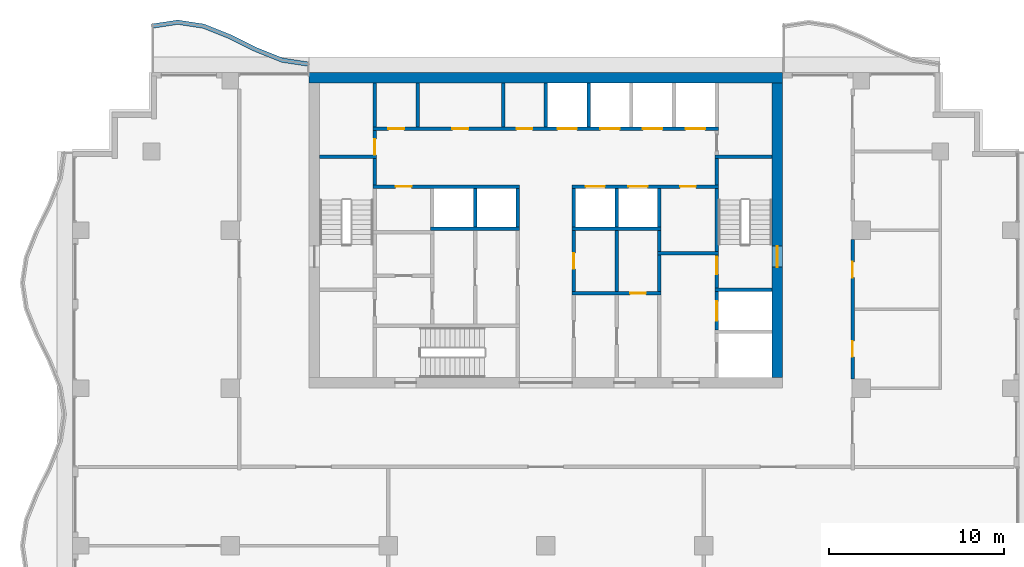
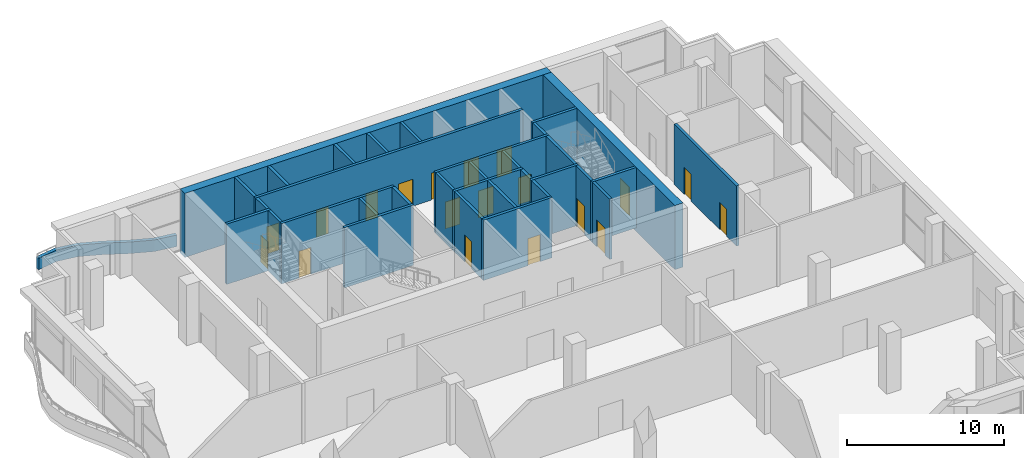
# One storey, part 9 of 15: 34 walls, 19 doors, 19 openings.
"""IFC4 building model written with IfcOpenShell, lengths in metres."""

from ifc_helpers import new_model, si_unit, direction, frame, frame_2d, origin, place, context, subcontext, project, spatial, polyline, rectangle, outline, extrude, material, layer, layer_set, type_object, element, fill, save


model = new_model("IFC4")

# Units and contexts
model_context = context("Model", 3, precision=1e-05, world=origin(), true_north=direction((0.0, 1.0)))
body_context = subcontext(model_context, "Body", "Model", "MODEL_VIEW")
ifc_project = project(units=[si_unit("LENGTHUNIT", "METRE"), si_unit("AREAUNIT", "SQUARE_METRE"), si_unit("VOLUMEUNIT", "CUBIC_METRE"), si_unit("PLANEANGLEUNIT", "RADIAN"), si_unit("MASSUNIT", "GRAM", prefix="KILO")], contexts=[model_context])

# Site, building, storey
site_placement = place(None, origin())
site = spatial("IfcSite", under=ifc_project, at=site_placement, CompositionType="ELEMENT")
building_placement = place(site_placement, origin())
building = spatial("IfcBuilding", under=site, at=building_placement, Name="Orbiselva Terraces", CompositionType="ELEMENT")
storey_placement = place(building_placement, frame((0.0, 0.0, 233.8)))
storey = spatial("IfcBuildingStorey", under=building, at=storey_placement, Name="L59", CompositionType="ELEMENT", Elevation=233.8)

# Wall, opening, door
ifc_material_1 = material(Name="Concrete C80/95", Category="concrete")
ifc_layer_1 = layer(ifc_material_1, 0.6)
ifc_layer_set_1 = layer_set([ifc_layer_1], Name="Concrete C80/95")
wall_type_1 = type_object("IfcWallType", Name="CORE WALL 600", PredefinedType="SHEAR", material=ifc_layer_set_1)
wall_1_placement = place(storey_placement, frame((13.2, 5.1, -0.3), z_axis=(0.0, 0.0, 1.0), x_axis=(0.0, 1.0, 0.0)))
wall_1 = element("IfcWall", 1, at=wall_1_placement, inside=storey, type_object=wall_type_1, Name="Core wall L59 east", PredefinedType="SHEAR", context=body_context, shape_type="SweptSolid", body=[
    extrude(rectangle(XDim=16.8, YDim=0.6, at=frame_2d((8.4, 0.0))), origin(), (0.0, 0.0, 1.0), 5.0),
])
opening_1_placement = place(wall_1_placement, frame((6.3, 0.0, 0.3)))
opening_1 = element("IfcOpeningElement", 2, at=opening_1_placement, cuts=wall_1, Name="Opening DS1200", PredefinedType="OPENING", context=body_context, shape_type="SweptSolid", body=[
    extrude(rectangle(XDim=1.2, YDim=2.2, at=frame_2d((0.6, 1.1))), frame((0.0, 0.31, 0.0), z_axis=(0.0, -1.0, 0.0), x_axis=(1.0, 0.0, 0.0)), (0.0, 0.0, 1.0), 0.62),
])
ifc_material_2 = material(Name="Steel fire door", Category="steel")
door_type_1 = type_object("IfcDoorType", Name="STAIR DOOR 1200", OperationType="NOTDEFINED", PredefinedType="DOOR", material=ifc_material_2)
door_1_placement = place(opening_1_placement, frame((1.2, 0.0, 0.0), z_axis=(0.0, 0.0, 1.0), x_axis=(-1.0, 0.0, 0.0)))
door_1 = element("IfcDoor", 3, at=door_1_placement, inside=storey, type_object=door_type_1, Name="L59 EXIT STAIR S2 door", OperationType="SINGLE_SWING_LEFT", OverallHeight=2.2, OverallWidth=1.2, PredefinedType="DOOR", context=body_context, shape_type="SweptSolid", body=[
    extrude(rectangle(XDim=1.2, YDim=2.2, at=frame_2d((0.6, 1.1))), frame((0.0, 0.025, 0.0), z_axis=(0.0, -1.0, 0.0), x_axis=(1.0, 0.0, 0.0)), (0.0, 0.0, 1.0), 0.05),
])
fill(opening_1, door_1)

# Wall
ifc_layer_2 = layer(ifc_material_1, 0.6)
ifc_layer_set_2 = layer_set([ifc_layer_2], Name="Concrete C80/95")
wall_type_2 = type_object("IfcWallType", Name="CORE WALL 600 EXTERNAL", PredefinedType="SHEAR", material=ifc_layer_set_2)
wall_2_placement = place(storey_placement, frame((13.5, 22.2, -0.3), z_axis=(0.0, 0.0, 1.0), x_axis=(-1.0, 0.0, 0.0)))
element("IfcWall", 4, at=wall_2_placement, inside=storey, type_object=wall_type_2, Name="Core wall L59 north", PredefinedType="SHEAR", context=body_context, shape_type="SweptSolid", body=[
    extrude(rectangle(XDim=27.0, YDim=0.6, at=frame_2d((13.5, 0.0))), origin(), (0.0, 0.0, 1.0), 5.0),
])

# Wall, opening, door
ifc_material_3 = material(Name="Masonry blockwork", Category="masonry")
ifc_layer_3 = layer(ifc_material_3, 0.2)
ifc_layer_set_3 = layer_set([ifc_layer_3], Name="Masonry blockwork")
wall_type_3 = type_object("IfcWallType", Name="CORE-WALL-PARTITION-200", PredefinedType="PARTITIONING", material=ifc_layer_set_3)
wall_3_placement = place(storey_placement, frame((-9.75, 17.8, 0.0), z_axis=(0.0, 0.0, 1.0), x_axis=(0.0, 1.0, 0.0)))
wall_3 = element("IfcWall", 5, at=wall_3_placement, inside=storey, type_object=wall_type_3, Name="L59 core wall 13", PredefinedType="PARTITIONING", context=body_context, shape_type="SweptSolid", body=[
    extrude(rectangle(XDim=1.4, YDim=0.2, at=frame_2d((0.7, 0.0))), origin(), (0.0, 0.0, 1.0), 4.7),
])
opening_2_placement = place(wall_3_placement, origin())
opening_2 = element("IfcOpeningElement", 6, at=opening_2_placement, cuts=wall_3, Name="Opening DR900", PredefinedType="OPENING", context=body_context, shape_type="SweptSolid", body=[
    extrude(rectangle(XDim=0.9, YDim=2.1, at=frame_2d((0.45, 1.05))), frame((0.0, 0.11, 0.0), z_axis=(0.0, -1.0, 0.0), x_axis=(1.0, 0.0, 0.0)), (0.0, 0.0, 1.0), 0.22),
])
door_type_2 = type_object("IfcDoorType", Name="ROOM DOOR 900", OperationType="NOTDEFINED", PredefinedType="DOOR", material=ifc_material_2)
door_2_placement = place(opening_2_placement, origin())
door_2 = element("IfcDoor", 7, at=door_2_placement, inside=storey, type_object=door_type_2, Name="L59 COMMS RISER ROOM door", OperationType="SINGLE_SWING_LEFT", OverallHeight=2.1, OverallWidth=0.9, PredefinedType="DOOR", context=body_context, shape_type="SweptSolid", body=[
    extrude(rectangle(XDim=0.9, YDim=2.1, at=frame_2d((0.45, 1.05))), frame((0.0, 0.025, 0.0), z_axis=(0.0, -1.0, 0.0), x_axis=(1.0, 0.0, 0.0)), (0.0, 0.0, 1.0), 0.05),
])
fill(opening_2, door_2)

# Walls
for number, where, z_axis, x_axis, name in (
    (8, (-9.75, 19.4, 0.0), (0.0, 0.0, 1.0), (0.0, 1.0, 0.0), "L59 core wall 15"),
    (9, (-7.3125, 19.4, 0.0), (0.0, 0.0, 1.0), (0.0, 1.0, 0.0), "L59 core wall 16"),
    (10, (-2.4375, 19.4, 0.0), (0.0, 0.0, 1.0), (0.0, 1.0, 0.0), "L59 core wall 23"),
):
    element("IfcWall", number, at=place(storey_placement, frame(where, z_axis=z_axis, x_axis=x_axis)), inside=storey, type_object=wall_type_3, Name=name, PredefinedType="PARTITIONING", context=body_context, shape_type="SweptSolid", body=[
        extrude(rectangle(XDim=2.5, YDim=0.2, at=frame_2d((1.25, 0.0))), origin(), (0.0, 0.0, 1.0), 4.7),
    ])
wall_4_placement = place(storey_placement, frame((4.0375, 10.0, 0.0), z_axis=(0.0, 0.0, 1.0), x_axis=(0.0, 1.0, 0.0)))
element("IfcWall", 11, at=wall_4_placement, inside=storey, type_object=wall_type_3, Name="L59 core wall 36", PredefinedType="PARTITIONING", context=body_context, shape_type="SweptSolid", body=[
    extrude(rectangle(XDim=3.5, YDim=0.2, at=frame_2d((1.75, 0.0))), origin(), (0.0, 0.0, 1.0), 4.7),
])
wall_5_placement = place(storey_placement, frame((6.475, 12.3, 0.0), z_axis=(0.0, 0.0, 1.0), x_axis=(0.0, 1.0, 0.0)))
element("IfcWall", 12, at=wall_5_placement, inside=storey, type_object=wall_type_3, Name="L59 core wall 42", PredefinedType="PARTITIONING", context=body_context, shape_type="SweptSolid", body=[
    extrude(rectangle(XDim=1.2, YDim=0.2, at=frame_2d((0.6, 0.0))), origin(), (0.0, 0.0, 1.0), 4.7),
])
ifc_material_4 = material(Name="Concrete C40/50", Category="concrete")
ifc_layer_4 = layer(ifc_material_4, 0.2)
ifc_layer_set_4 = layer_set([ifc_layer_4], Name="Concrete C40/50")
wall_type_4 = type_object("IfcWallType", Name="CORE-WALL-SHAFT-200", PredefinedType="PARTITIONING", material=ifc_layer_set_4)
for number, where, z_axis, x_axis, name in (
    (13, (-4.0375, 13.7, 0.0), (0.0, 0.0, 1.0), (0.0, 1.0, 0.0), "L59 core wall 22"),
    (14, (-1.6, 13.7, 0.0), (0.0, 0.0, 1.0), (0.0, 1.0, 0.0), "L59 core wall 26"),
):
    element("IfcWall", number, at=place(storey_placement, frame(where, z_axis=z_axis, x_axis=x_axis)), inside=storey, type_object=wall_type_4, Name=name, PredefinedType="PARTITIONING", context=body_context, shape_type="SweptSolid", body=[
        extrude(rectangle(XDim=2.2, YDim=0.2, at=frame_2d((1.1, 0.0))), origin(), (0.0, 0.0, 1.0), 4.7),
    ])
wall_6_placement = place(storey_placement, frame((0.0, 19.4, 0.0), z_axis=(0.0, 0.0, 1.0), x_axis=(0.0, 1.0, 0.0)))
element("IfcWall", 15, at=wall_6_placement, inside=storey, type_object=wall_type_4, Name="L59 core wall 27", PredefinedType="PARTITIONING", context=body_context, shape_type="SweptSolid", body=[
    extrude(rectangle(XDim=2.5, YDim=0.2, at=frame_2d((1.25, 0.0))), origin(), (0.0, 0.0, 1.0), 4.7),
])
wall_7_placement = place(storey_placement, frame((1.6, 13.7, 0.0), z_axis=(0.0, 0.0, 1.0), x_axis=(0.0, 1.0, 0.0)))
element("IfcWall", 16, at=wall_7_placement, inside=storey, type_object=wall_type_4, Name="L59 core wall 32", PredefinedType="PARTITIONING", context=body_context, shape_type="SweptSolid", body=[
    extrude(rectangle(XDim=2.2, YDim=0.2, at=frame_2d((1.1, 0.0))), origin(), (0.0, 0.0, 1.0), 4.7),
])
wall_8_placement = place(storey_placement, frame((2.4375, 19.4, 0.0), z_axis=(0.0, 0.0, 1.0), x_axis=(0.0, 1.0, 0.0)))
element("IfcWall", 17, at=wall_8_placement, inside=storey, type_object=wall_type_4, Name="L59 core wall 34", PredefinedType="PARTITIONING", context=body_context, shape_type="SweptSolid", body=[
    extrude(rectangle(XDim=2.5, YDim=0.2, at=frame_2d((1.25, 0.0))), origin(), (0.0, 0.0, 1.0), 4.7),
])
for number, where, z_axis, x_axis, name in (
    (18, (4.0375, 13.7, 0.0), (0.0, 0.0, 1.0), (0.0, 1.0, 0.0), "L59 core wall 37"),
    (19, (6.475, 13.7, 0.0), (0.0, 0.0, 1.0), (0.0, 1.0, 0.0), "L59 core wall 43"),
):
    element("IfcWall", number, at=place(storey_placement, frame(where, z_axis=z_axis, x_axis=x_axis)), inside=storey, type_object=wall_type_4, Name=name, PredefinedType="PARTITIONING", context=body_context, shape_type="SweptSolid", body=[
        extrude(rectangle(XDim=2.2, YDim=0.2, at=frame_2d((1.1, 0.0))), origin(), (0.0, 0.0, 1.0), 4.7),
    ])
ifc_material_5 = material(Name="Concrete C60/75", Category="concrete")
ifc_layer_5 = layer(ifc_material_5, 0.2)
ifc_layer_set_5 = layer_set([ifc_layer_5], Name="Concrete C60/75")
wall_type_5 = type_object("IfcWallType", Name="CORE-WALL-SHEAR-200", PredefinedType="SHEAR", material=ifc_layer_set_5)
wall_9_placement = place(storey_placement, frame((-12.9, 17.7, 0.0), z_axis=(0.0, 0.0, 1.0), x_axis=(1.0, 0.0, 0.0)))
element("IfcWall", 20, at=wall_9_placement, inside=storey, type_object=wall_type_5, Name="L59 core wall 02", PredefinedType="SHEAR", context=body_context, shape_type="SweptSolid", body=[
    extrude(rectangle(XDim=3.25, YDim=0.2, at=frame_2d((1.625, 0.0))), origin(), (0.0, 0.0, 1.0), 4.7),
])

# Wall, opening, door
wall_10_placement = place(storey_placement, frame((-1.5, 16.0, 0.0), z_axis=(0.0, 0.0, 1.0), x_axis=(-1.0, 0.0, 0.0)))
wall_10 = element("IfcWall", 21, at=wall_10_placement, inside=storey, type_object=wall_type_5, Name="L59 core wall 11", PredefinedType="SHEAR", context=body_context, shape_type="SweptSolid", body=[
    extrude(rectangle(XDim=8.35, YDim=0.2, at=frame_2d((4.175, 0.0))), origin(), (0.0, 0.0, 1.0), 4.7),
])
opening_3_placement = place(wall_10_placement, frame((6.1625, 0.0, 0.0)))
opening_3 = element("IfcOpeningElement", 22, at=opening_3_placement, cuts=wall_10, Name="Opening DR900", PredefinedType="OPENING", context=body_context, shape_type="SweptSolid", body=[
    extrude(rectangle(XDim=0.9, YDim=2.1, at=frame_2d((0.45, 1.05))), frame((0.0, 0.11, 0.0), z_axis=(0.0, -1.0, 0.0), x_axis=(1.0, 0.0, 0.0)), (0.0, 0.0, 1.0), 0.22),
])
door_3_placement = place(opening_3_placement, origin())
door_3 = element("IfcDoor", 23, at=door_3_placement, inside=storey, type_object=door_type_2, Name="L59 STAFF PANTRY door", OperationType="SINGLE_SWING_RIGHT", OverallHeight=2.1, OverallWidth=0.9, PredefinedType="DOOR", context=body_context, shape_type="SweptSolid", body=[
    extrude(rectangle(XDim=0.9, YDim=2.1, at=frame_2d((0.45, 1.05))), frame((0.0, 0.025, 0.0), z_axis=(0.0, -1.0, 0.0), x_axis=(1.0, 0.0, 0.0)), (0.0, 0.0, 1.0), 0.05),
])
fill(opening_3, door_3)

# Wall
wall_11_placement = place(storey_placement, frame((-9.75, 16.1, 0.0), z_axis=(0.0, 0.0, 1.0), x_axis=(0.0, 1.0, 0.0)))
element("IfcWall", 24, at=wall_11_placement, inside=storey, type_object=wall_type_5, Name="L59 core wall 12", PredefinedType="SHEAR", context=body_context, shape_type="SweptSolid", body=[
    extrude(rectangle(XDim=1.5, YDim=0.2, at=frame_2d((0.75, 0.0))), origin(), (0.0, 0.0, 1.0), 4.7),
])

# Wall, openings, doors
wall_12_placement = place(storey_placement, frame((-9.85, 19.3, 0.0), z_axis=(0.0, 0.0, 1.0), x_axis=(1.0, 0.0, 0.0)))
wall_12 = element("IfcWall", 25, at=wall_12_placement, inside=storey, type_object=wall_type_5, Name="L59 core wall 14", PredefinedType="SHEAR", context=body_context, shape_type="SweptSolid", body=[
    extrude(rectangle(XDim=19.7, YDim=0.2, at=frame_2d((9.85, 0.0))), origin(), (0.0, 0.0, 1.0), 4.7),
])
opening_4_placement = place(wall_12_placement, frame((10.51875, 0.0, 0.0)))
opening_4 = element("IfcOpeningElement", 26, at=opening_4_placement, cuts=wall_12, Name="Opening LD-HR1", PredefinedType="OPENING", context=body_context, shape_type="SweptSolid", body=[
    extrude(rectangle(XDim=1.1, YDim=2.1, at=frame_2d((0.55, 1.05))), frame((0.0, 0.11, 0.0), z_axis=(0.0, -1.0, 0.0), x_axis=(1.0, 0.0, 0.0)), (0.0, 0.0, 1.0), 0.22),
])
opening_5_placement = place(wall_12_placement, frame((12.95625, 0.0, 0.0)))
opening_5 = element("IfcOpeningElement", 27, at=opening_5_placement, cuts=wall_12, Name="Opening LD-HR2", PredefinedType="OPENING", context=body_context, shape_type="SweptSolid", body=[
    extrude(rectangle(XDim=1.1, YDim=2.1, at=frame_2d((0.55, 1.05))), frame((0.0, 0.11, 0.0), z_axis=(0.0, -1.0, 0.0), x_axis=(1.0, 0.0, 0.0)), (0.0, 0.0, 1.0), 0.22),
])
opening_6_placement = place(wall_12_placement, frame((15.39375, 0.0, 0.0)))
opening_6 = element("IfcOpeningElement", 28, at=opening_6_placement, cuts=wall_12, Name="Opening LD-HR3", PredefinedType="OPENING", context=body_context, shape_type="SweptSolid", body=[
    extrude(rectangle(XDim=1.1, YDim=2.1, at=frame_2d((0.55, 1.05))), frame((0.0, 0.11, 0.0), z_axis=(0.0, -1.0, 0.0), x_axis=(1.0, 0.0, 0.0)), (0.0, 0.0, 1.0), 0.22),
])
opening_7_placement = place(wall_12_placement, frame((17.83125, 0.0, 0.0)))
opening_7 = element("IfcOpeningElement", 29, at=opening_7_placement, cuts=wall_12, Name="Opening LD-HR4", PredefinedType="OPENING", context=body_context, shape_type="SweptSolid", body=[
    extrude(rectangle(XDim=1.1, YDim=2.1, at=frame_2d((0.55, 1.05))), frame((0.0, 0.11, 0.0), z_axis=(0.0, -1.0, 0.0), x_axis=(1.0, 0.0, 0.0)), (0.0, 0.0, 1.0), 0.22),
])
opening_8_placement = place(wall_12_placement, frame((0.8688, 0.0, 0.0)))
opening_8 = element("IfcOpeningElement", 30, at=opening_8_placement, cuts=wall_12, Name="Opening DR900", PredefinedType="OPENING", context=body_context, shape_type="SweptSolid", body=[
    extrude(rectangle(XDim=0.9, YDim=2.1, at=frame_2d((0.45, 1.05))), frame((0.0, 0.11, 0.0), z_axis=(0.0, -1.0, 0.0), x_axis=(1.0, 0.0, 0.0)), (0.0, 0.0, 1.0), 0.22),
])
opening_9_placement = place(wall_12_placement, frame((4.525, 0.0, 0.0)))
opening_9 = element("IfcOpeningElement", 31, at=opening_9_placement, cuts=wall_12, Name="Opening DR900", PredefinedType="OPENING", context=body_context, shape_type="SweptSolid", body=[
    extrude(rectangle(XDim=0.9, YDim=2.1, at=frame_2d((0.45, 1.05))), frame((0.0, 0.11, 0.0), z_axis=(0.0, -1.0, 0.0), x_axis=(1.0, 0.0, 0.0)), (0.0, 0.0, 1.0), 0.22),
])
opening_10_placement = place(wall_12_placement, frame((8.1812, 0.0, 0.0)))
opening_10 = element("IfcOpeningElement", 32, at=opening_10_placement, cuts=wall_12, Name="Opening DR900", PredefinedType="OPENING", context=body_context, shape_type="SweptSolid", body=[
    extrude(rectangle(XDim=0.9, YDim=2.1, at=frame_2d((0.45, 1.05))), frame((0.0, 0.11, 0.0), z_axis=(0.0, -1.0, 0.0), x_axis=(1.0, 0.0, 0.0)), (0.0, 0.0, 1.0), 0.22),
])
ifc_material_6 = material(Name="Stainless steel landing door", Category="steel")
door_type_3 = type_object("IfcDoorType", Name="LANDING DOOR 1100", OperationType="SLIDING_TO_LEFT", PredefinedType="DOOR", material=ifc_material_6)
door_4_placement = place(opening_4_placement, origin())
door_4 = element("IfcDoor", 33, at=door_4_placement, inside=storey, type_object=door_type_3, Name="L59 landing door HR1", OperationType="SLIDING_TO_RIGHT", OverallHeight=2.1, OverallWidth=1.1, PredefinedType="DOOR", context=body_context, shape_type="SweptSolid", body=[
    extrude(rectangle(XDim=1.1, YDim=2.1, at=frame_2d((0.55, 1.05))), frame((0.0, 0.025, 0.0), z_axis=(0.0, -1.0, 0.0), x_axis=(1.0, 0.0, 0.0)), (0.0, 0.0, 1.0), 0.05),
])
fill(opening_4, door_4)
door_5_placement = place(opening_5_placement, origin())
door_5 = element("IfcDoor", 34, at=door_5_placement, inside=storey, type_object=door_type_3, Name="L59 landing door HR2", OperationType="SLIDING_TO_RIGHT", OverallHeight=2.1, OverallWidth=1.1, PredefinedType="DOOR", context=body_context, shape_type="SweptSolid", body=[
    extrude(rectangle(XDim=1.1, YDim=2.1, at=frame_2d((0.55, 1.05))), frame((0.0, 0.025, 0.0), z_axis=(0.0, -1.0, 0.0), x_axis=(1.0, 0.0, 0.0)), (0.0, 0.0, 1.0), 0.05),
])
fill(opening_5, door_5)
door_6_placement = place(opening_6_placement, origin())
door_6 = element("IfcDoor", 35, at=door_6_placement, inside=storey, type_object=door_type_3, Name="L59 landing door HR3", OperationType="SLIDING_TO_RIGHT", OverallHeight=2.1, OverallWidth=1.1, PredefinedType="DOOR", context=body_context, shape_type="SweptSolid", body=[
    extrude(rectangle(XDim=1.1, YDim=2.1, at=frame_2d((0.55, 1.05))), frame((0.0, 0.025, 0.0), z_axis=(0.0, -1.0, 0.0), x_axis=(1.0, 0.0, 0.0)), (0.0, 0.0, 1.0), 0.05),
])
fill(opening_6, door_6)
door_7_placement = place(opening_7_placement, origin())
door_7 = element("IfcDoor", 36, at=door_7_placement, inside=storey, type_object=door_type_3, Name="L59 landing door HR4", OperationType="SLIDING_TO_RIGHT", OverallHeight=2.1, OverallWidth=1.1, PredefinedType="DOOR", context=body_context, shape_type="SweptSolid", body=[
    extrude(rectangle(XDim=1.1, YDim=2.1, at=frame_2d((0.55, 1.05))), frame((0.0, 0.025, 0.0), z_axis=(0.0, -1.0, 0.0), x_axis=(1.0, 0.0, 0.0)), (0.0, 0.0, 1.0), 0.05),
])
fill(opening_7, door_7)
door_8_placement = place(opening_8_placement, origin())
door_8 = element("IfcDoor", 37, at=door_8_placement, inside=storey, type_object=door_type_2, Name="L59 STORE door", OperationType="SINGLE_SWING_LEFT", OverallHeight=2.1, OverallWidth=0.9, PredefinedType="DOOR", context=body_context, shape_type="SweptSolid", body=[
    extrude(rectangle(XDim=0.9, YDim=2.1, at=frame_2d((0.45, 1.05))), frame((0.0, 0.025, 0.0), z_axis=(0.0, -1.0, 0.0), x_axis=(1.0, 0.0, 0.0)), (0.0, 0.0, 1.0), 0.05),
])
fill(opening_8, door_8)
door_9_placement = place(opening_9_placement, origin())
door_9 = element("IfcDoor", 38, at=door_9_placement, inside=storey, type_object=door_type_2, Name="L59 IT ROOM door", OperationType="SINGLE_SWING_LEFT", OverallHeight=2.1, OverallWidth=0.9, PredefinedType="DOOR", context=body_context, shape_type="SweptSolid", body=[
    extrude(rectangle(XDim=0.9, YDim=2.1, at=frame_2d((0.45, 1.05))), frame((0.0, 0.025, 0.0), z_axis=(0.0, -1.0, 0.0), x_axis=(1.0, 0.0, 0.0)), (0.0, 0.0, 1.0), 0.05),
])
fill(opening_9, door_9)
door_10_placement = place(opening_10_placement, origin())
door_10 = element("IfcDoor", 39, at=door_10_placement, inside=storey, type_object=door_type_2, Name="L59 CLEANERS STORE door", OperationType="SINGLE_SWING_LEFT", OverallHeight=2.1, OverallWidth=0.9, PredefinedType="DOOR", context=body_context, shape_type="SweptSolid", body=[
    extrude(rectangle(XDim=0.9, YDim=2.1, at=frame_2d((0.45, 1.05))), frame((0.0, 0.025, 0.0), z_axis=(0.0, -1.0, 0.0), x_axis=(1.0, 0.0, 0.0)), (0.0, 0.0, 1.0), 0.05),
])
fill(opening_10, door_10)

# Wall
wall_13_placement = place(storey_placement, frame((-6.575, 13.6, 0.0), z_axis=(0.0, 0.0, 1.0), x_axis=(1.0, 0.0, 0.0)))
element("IfcWall", 40, at=wall_13_placement, inside=storey, type_object=wall_type_5, Name="L59 core wall 19", PredefinedType="SHEAR", context=body_context, shape_type="SweptSolid", body=[
    extrude(rectangle(XDim=5.075, YDim=0.2, at=frame_2d((2.5375, 0.0))), origin(), (0.0, 0.0, 1.0), 4.7),
])

# Wall, opening, door
wall_14_placement = place(storey_placement, frame((1.5, 9.9, 0.0), z_axis=(0.0, 0.0, 1.0), x_axis=(1.0, 0.0, 0.0)))
wall_14 = element("IfcWall", 41, at=wall_14_placement, inside=storey, type_object=wall_type_5, Name="L59 core wall 29", PredefinedType="SHEAR", context=body_context, shape_type="SweptSolid", body=[
    extrude(rectangle(XDim=5.075, YDim=0.2, at=frame_2d((2.5375, 0.0))), origin(), (0.0, 0.0, 1.0), 4.7),
])
opening_11_placement = place(wall_14_placement, frame((3.3062, 0.0, 0.0)))
opening_11 = element("IfcOpeningElement", 42, at=opening_11_placement, cuts=wall_14, Name="Opening DR900", PredefinedType="OPENING", context=body_context, shape_type="SweptSolid", body=[
    extrude(rectangle(XDim=0.9, YDim=2.1, at=frame_2d((0.45, 1.05))), frame((0.0, 0.11, 0.0), z_axis=(0.0, -1.0, 0.0), x_axis=(1.0, 0.0, 0.0)), (0.0, 0.0, 1.0), 0.22),
])
door_11_placement = place(opening_11_placement, origin())
door_11 = element("IfcDoor", 43, at=door_11_placement, inside=storey, type_object=door_type_2, Name="L59 LINEN STORE door", OperationType="SINGLE_SWING_RIGHT", OverallHeight=2.1, OverallWidth=0.9, PredefinedType="DOOR", context=body_context, shape_type="SweptSolid", body=[
    extrude(rectangle(XDim=0.9, YDim=2.1, at=frame_2d((0.45, 1.05))), frame((0.0, 0.025, 0.0), z_axis=(0.0, -1.0, 0.0), x_axis=(1.0, 0.0, 0.0)), (0.0, 0.0, 1.0), 0.05),
])
fill(opening_11, door_11)

wall_15_placement = place(storey_placement, frame((1.6, 13.5, 0.0), z_axis=(0.0, 0.0, 1.0), x_axis=(0.0, -1.0, 0.0)))
wall_15 = element("IfcWall", 44, at=wall_15_placement, inside=storey, type_object=wall_type_5, Name="L59 core wall 30", PredefinedType="SHEAR", context=body_context, shape_type="SweptSolid", body=[
    extrude(rectangle(XDim=3.5, YDim=0.2, at=frame_2d((1.75, 0.0))), origin(), (0.0, 0.0, 1.0), 4.7),
])
opening_12_placement = place(wall_15_placement, frame((1.3, 0.0, 0.0)))
opening_12 = element("IfcOpeningElement", 45, at=opening_12_placement, cuts=wall_15, Name="Opening DR900", PredefinedType="OPENING", context=body_context, shape_type="SweptSolid", body=[
    extrude(rectangle(XDim=0.9, YDim=2.1, at=frame_2d((0.45, 1.05))), frame((0.0, 0.11, 0.0), z_axis=(0.0, -1.0, 0.0), x_axis=(1.0, 0.0, 0.0)), (0.0, 0.0, 1.0), 0.22),
])
door_12_placement = place(opening_12_placement, origin())
door_12 = element("IfcDoor", 46, at=door_12_placement, inside=storey, type_object=door_type_2, Name="L59 COMMS ROOM door", OperationType="SINGLE_SWING_RIGHT", OverallHeight=2.1, OverallWidth=0.9, PredefinedType="DOOR", context=body_context, shape_type="SweptSolid", body=[
    extrude(rectangle(XDim=0.9, YDim=2.1, at=frame_2d((0.45, 1.05))), frame((0.0, 0.025, 0.0), z_axis=(0.0, -1.0, 0.0), x_axis=(1.0, 0.0, 0.0)), (0.0, 0.0, 1.0), 0.05),
])
fill(opening_12, door_12)

# Wall
wall_16_placement = place(storey_placement, frame((1.5, 13.6, 0.0), z_axis=(0.0, 0.0, 1.0), x_axis=(1.0, 0.0, 0.0)))
element("IfcWall", 47, at=wall_16_placement, inside=storey, type_object=wall_type_5, Name="L59 core wall 31", PredefinedType="SHEAR", context=body_context, shape_type="SweptSolid", body=[
    extrude(rectangle(XDim=5.075, YDim=0.2, at=frame_2d((2.5375, 0.0))), origin(), (0.0, 0.0, 1.0), 4.7),
])

# Wall, openings, doors
wall_17_placement = place(storey_placement, frame((9.85, 16.0, 0.0), z_axis=(0.0, 0.0, 1.0), x_axis=(-1.0, 0.0, 0.0)))
wall_17 = element("IfcWall", 48, at=wall_17_placement, inside=storey, type_object=wall_type_5, Name="L59 core wall 33", PredefinedType="SHEAR", context=body_context, shape_type="SweptSolid", body=[
    extrude(rectangle(XDim=8.35, YDim=0.2, at=frame_2d((4.175, 0.0))), origin(), (0.0, 0.0, 1.0), 4.7),
])
opening_13_placement = place(wall_17_placement, frame((6.48125, 0.0, 0.0)))
opening_13 = element("IfcOpeningElement", 49, at=opening_13_placement, cuts=wall_17, Name="Opening LD-HR5", PredefinedType="OPENING", context=body_context, shape_type="SweptSolid", body=[
    extrude(rectangle(XDim=1.1, YDim=2.1, at=frame_2d((0.55, 1.05))), frame((0.0, 0.11, 0.0), z_axis=(0.0, -1.0, 0.0), x_axis=(1.0, 0.0, 0.0)), (0.0, 0.0, 1.0), 0.22),
])
opening_14_placement = place(wall_17_placement, frame((4.04375, 0.0, 0.0)))
opening_14 = element("IfcOpeningElement", 50, at=opening_14_placement, cuts=wall_17, Name="Opening LD-HR6", PredefinedType="OPENING", context=body_context, shape_type="SweptSolid", body=[
    extrude(rectangle(XDim=1.1, YDim=2.1, at=frame_2d((0.55, 1.05))), frame((0.0, 0.11, 0.0), z_axis=(0.0, -1.0, 0.0), x_axis=(1.0, 0.0, 0.0)), (0.0, 0.0, 1.0), 0.22),
])
opening_15_placement = place(wall_17_placement, frame((1.2875, 0.0, 0.0)))
opening_15 = element("IfcOpeningElement", 51, at=opening_15_placement, cuts=wall_17, Name="Opening DR900", PredefinedType="OPENING", context=body_context, shape_type="SweptSolid", body=[
    extrude(rectangle(XDim=0.9, YDim=2.1, at=frame_2d((0.45, 1.05))), frame((0.0, 0.11, 0.0), z_axis=(0.0, -1.0, 0.0), x_axis=(1.0, 0.0, 0.0)), (0.0, 0.0, 1.0), 0.22),
])
door_13_placement = place(opening_13_placement, origin())
door_13 = element("IfcDoor", 52, at=door_13_placement, inside=storey, type_object=door_type_3, Name="L59 landing door HR5", OperationType="SLIDING_TO_RIGHT", OverallHeight=2.1, OverallWidth=1.1, PredefinedType="DOOR", context=body_context, shape_type="SweptSolid", body=[
    extrude(rectangle(XDim=1.1, YDim=2.1, at=frame_2d((0.55, 1.05))), frame((0.0, 0.025, 0.0), z_axis=(0.0, -1.0, 0.0), x_axis=(1.0, 0.0, 0.0)), (0.0, 0.0, 1.0), 0.05),
])
fill(opening_13, door_13)
door_14_placement = place(opening_14_placement, origin())
door_14 = element("IfcDoor", 53, at=door_14_placement, inside=storey, type_object=door_type_3, Name="L59 landing door HR6", OperationType="SLIDING_TO_RIGHT", OverallHeight=2.1, OverallWidth=1.1, PredefinedType="DOOR", context=body_context, shape_type="SweptSolid", body=[
    extrude(rectangle(XDim=1.1, YDim=2.1, at=frame_2d((0.55, 1.05))), frame((0.0, 0.025, 0.0), z_axis=(0.0, -1.0, 0.0), x_axis=(1.0, 0.0, 0.0)), (0.0, 0.0, 1.0), 0.05),
])
fill(opening_14, door_14)
door_15_placement = place(opening_15_placement, origin())
door_15 = element("IfcDoor", 54, at=door_15_placement, inside=storey, type_object=door_type_2, Name="L59 PIPE RISER ROOM door", OperationType="SINGLE_SWING_LEFT", OverallHeight=2.1, OverallWidth=0.9, PredefinedType="DOOR", context=body_context, shape_type="SweptSolid", body=[
    extrude(rectangle(XDim=0.9, YDim=2.1, at=frame_2d((0.45, 1.05))), frame((0.0, 0.025, 0.0), z_axis=(0.0, -1.0, 0.0), x_axis=(1.0, 0.0, 0.0)), (0.0, 0.0, 1.0), 0.05),
])
fill(opening_15, door_15)

# Walls
wall_18_placement = place(storey_placement, frame((6.475, 10.0, 0.0), z_axis=(0.0, 0.0, 1.0), x_axis=(0.0, 1.0, 0.0)))
element("IfcWall", 55, at=wall_18_placement, inside=storey, type_object=wall_type_5, Name="L59 core wall 40", PredefinedType="SHEAR", context=body_context, shape_type="SweptSolid", body=[
    extrude(rectangle(XDim=2.1, YDim=0.2, at=frame_2d((1.05, 0.0))), origin(), (0.0, 0.0, 1.0), 4.7),
])
wall_19_placement = place(storey_placement, frame((6.375, 12.2, 0.0), z_axis=(0.0, 0.0, 1.0), x_axis=(1.0, 0.0, 0.0)))
element("IfcWall", 56, at=wall_19_placement, inside=storey, type_object=wall_type_5, Name="L59 core wall 41", PredefinedType="SHEAR", context=body_context, shape_type="SweptSolid", body=[
    extrude(rectangle(XDim=3.475, YDim=0.2, at=frame_2d((1.7375, 0.0))), origin(), (0.0, 0.0, 1.0), 4.7),
])

# Wall, opening, door
wall_20_placement = place(storey_placement, frame((9.75, 7.8, 0.0), z_axis=(0.0, 0.0, 1.0), x_axis=(0.0, 1.0, 0.0)))
wall_20 = element("IfcWall", 57, at=wall_20_placement, inside=storey, type_object=wall_type_5, Name="L59 core wall 47", PredefinedType="SHEAR", context=body_context, shape_type="SweptSolid", body=[
    extrude(rectangle(XDim=2.2, YDim=0.2, at=frame_2d((1.1, 0.0))), origin(), (0.0, 0.0, 1.0), 4.7),
])
opening_16_placement = place(wall_20_placement, frame((0.55, 0.0, 0.0)))
opening_16 = element("IfcOpeningElement", 58, at=opening_16_placement, cuts=wall_20, Name="Opening LD-FF2", PredefinedType="OPENING", context=body_context, shape_type="SweptSolid", body=[
    extrude(rectangle(XDim=1.1, YDim=2.1, at=frame_2d((0.55, 1.05))), frame((0.0, 0.11, 0.0), z_axis=(0.0, -1.0, 0.0), x_axis=(1.0, 0.0, 0.0)), (0.0, 0.0, 1.0), 0.22),
])
door_16_placement = place(opening_16_placement, origin())
door_16 = element("IfcDoor", 59, at=door_16_placement, inside=storey, type_object=door_type_3, Name="L59 landing door FF2", OperationType="SLIDING_TO_RIGHT", OverallHeight=2.1, OverallWidth=1.1, PredefinedType="DOOR", context=body_context, shape_type="SweptSolid", body=[
    extrude(rectangle(XDim=1.1, YDim=2.1, at=frame_2d((0.55, 1.05))), frame((0.0, 0.025, 0.0), z_axis=(0.0, -1.0, 0.0), x_axis=(1.0, 0.0, 0.0)), (0.0, 0.0, 1.0), 0.05),
])
fill(opening_16, door_16)

# Wall
wall_21_placement = place(storey_placement, frame((9.65, 10.1, 0.0), z_axis=(0.0, 0.0, 1.0), x_axis=(1.0, 0.0, 0.0)))
element("IfcWall", 60, at=wall_21_placement, inside=storey, type_object=wall_type_5, Name="L59 core wall 48", PredefinedType="SHEAR", context=body_context, shape_type="SweptSolid", body=[
    extrude(rectangle(XDim=3.25, YDim=0.2, at=frame_2d((1.625, 0.0))), origin(), (0.0, 0.0, 1.0), 4.7),
])

# Wall, opening, door
wall_22_placement = place(storey_placement, frame((9.75, 12.1, 0.0), z_axis=(0.0, 0.0, 1.0), x_axis=(0.0, -1.0, 0.0)))
wall_22 = element("IfcWall", 61, at=wall_22_placement, inside=storey, type_object=wall_type_5, Name="L59 core wall 49", PredefinedType="SHEAR", context=body_context, shape_type="SweptSolid", body=[
    extrude(rectangle(XDim=1.9, YDim=0.2, at=frame_2d((0.95, 0.0))), origin(), (0.0, 0.0, 1.0), 4.7),
])
opening_17_placement = place(wall_22_placement, frame((0.1, 0.0, 0.0)))
opening_17 = element("IfcOpeningElement", 62, at=opening_17_placement, cuts=wall_22, Name="Opening DS1000", PredefinedType="OPENING", context=body_context, shape_type="SweptSolid", body=[
    extrude(rectangle(XDim=1.0, YDim=2.2, at=frame_2d((0.5, 1.1))), frame((0.0, 0.11, 0.0), z_axis=(0.0, -1.0, 0.0), x_axis=(1.0, 0.0, 0.0)), (0.0, 0.0, 1.0), 0.22),
])
door_type_4 = type_object("IfcDoorType", Name="STAIR DOOR 1000", OperationType="NOTDEFINED", PredefinedType="DOOR", material=ifc_material_2)
door_17_placement = place(opening_17_placement, origin())
door_17 = element("IfcDoor", 63, at=door_17_placement, inside=storey, type_object=door_type_4, Name="L59 FIRE-FIGHTING LOBBY TO EXIT STAIR S2 door", OperationType="SINGLE_SWING_LEFT", OverallHeight=2.2, OverallWidth=1.0, PredefinedType="DOOR", context=body_context, shape_type="SweptSolid", body=[
    extrude(rectangle(XDim=1.0, YDim=2.2, at=frame_2d((0.5, 1.1))), frame((0.0, 0.025, 0.0), z_axis=(0.0, -1.0, 0.0), x_axis=(1.0, 0.0, 0.0)), (0.0, 0.0, 1.0), 0.05),
])
fill(opening_17, door_17)

# Walls
wall_23_placement = place(storey_placement, frame((9.75, 12.3, 0.0), z_axis=(0.0, 0.0, 1.0), x_axis=(0.0, 1.0, 0.0)))
element("IfcWall", 64, at=wall_23_placement, inside=storey, type_object=wall_type_5, Name="L59 core wall 50", PredefinedType="SHEAR", context=body_context, shape_type="SweptSolid", body=[
    extrude(rectangle(XDim=3.6, YDim=0.2, at=frame_2d((1.8, 0.0))), origin(), (0.0, 0.0, 1.0), 4.7),
])
wall_24_placement = place(storey_placement, frame((9.75, 16.1, 0.0), z_axis=(0.0, 0.0, 1.0), x_axis=(0.0, 1.0, 0.0)))
element("IfcWall", 65, at=wall_24_placement, inside=storey, type_object=wall_type_5, Name="L59 core wall 51", PredefinedType="SHEAR", context=body_context, shape_type="SweptSolid", body=[
    extrude(rectangle(XDim=1.5, YDim=0.2, at=frame_2d((0.75, 0.0))), origin(), (0.0, 0.0, 1.0), 4.7),
])
wall_25_placement = place(storey_placement, frame((9.65, 17.7, 0.0), z_axis=(0.0, 0.0, 1.0), x_axis=(1.0, 0.0, 0.0)))
element("IfcWall", 66, at=wall_25_placement, inside=storey, type_object=wall_type_5, Name="L59 core wall 52", PredefinedType="SHEAR", context=body_context, shape_type="SweptSolid", body=[
    extrude(rectangle(XDim=3.25, YDim=0.2, at=frame_2d((1.625, 0.0))), origin(), (0.0, 0.0, 1.0), 4.7),
])
ifc_layer_6 = layer(ifc_material_4, 0.25)
ifc_layer_set_6 = layer_set([ifc_layer_6], Name="Concrete C40/50")
wall_type_6 = type_object("IfcWallType", Name="ENV-PLANTER-250x900", PredefinedType="USERDEFINED", material=ifc_layer_set_6)
wall_26_placement = place(storey_placement, origin())
element("IfcWall", 67, at=wall_26_placement, inside=storey, type_object=wall_type_6, Name="Balcony planter L59 NW", ObjectType="PLANTER", PredefinedType="USERDEFINED", context=body_context, shape_type="SweptSolid", body=[
    extrude(outline(polyline([(-13.5, 23.1), (-15.0, 23.32918), (-16.5, 23.92918), (-18.0, 24.67082), (-19.5, 25.27082), (-21.0, 25.5), (-22.5, 25.27082), (-22.462242, 25.023688), (-21.0, 25.247099), (-19.566166, 25.028028), (-18.101983, 24.442355), (-16.601983, 23.700715), (-15.066166, 23.086388), (-13.537758, 22.852868), (-13.5, 23.1)])), origin(), (0.0, 0.0, 1.0), 0.9),
])

# Wall, openings, doors
ifc_material_7 = material(Name="Plasterboard on steel stud partition", Category="steel")
ifc_layer_7 = layer(ifc_material_7, 0.2)
ifc_layer_set_7 = layer_set([ifc_layer_7], Name="Plasterboard on steel stud partition")
wall_type_7 = type_object("IfcWallType", Name="UNIT-ENTRANCE-WALL-200", PredefinedType="PARTITIONING", material=ifc_layer_set_7)
wall_27_placement = place(storey_placement, frame((17.5, 12.975, 0.0), z_axis=(0.0, 0.0, 1.0), x_axis=(0.0, -1.0, 0.0)))
wall_27 = element("IfcWall", 68, at=wall_27_placement, inside=storey, type_object=wall_type_7, Name="PARTITION L59-024", PredefinedType="PARTITIONING", context=body_context, shape_type="SweptSolid", body=[
    extrude(rectangle(XDim=7.95, YDim=0.2, at=frame_2d((3.975, 0.0))), origin(), (0.0, 0.0, 1.0), 4.7),
])
opening_18_placement = place(wall_27_placement, frame((5.8, 0.0, 0.0)))
opening_18 = element("IfcOpeningElement", 69, at=opening_18_placement, cuts=wall_27, Name="Opening SKY-4-07", PredefinedType="OPENING", context=body_context, shape_type="SweptSolid", body=[
    extrude(rectangle(XDim=0.9, YDim=2.1, at=frame_2d((0.45, 1.05))), frame((0.0, 0.11, 0.0), z_axis=(0.0, -1.0, 0.0), x_axis=(1.0, 0.0, 0.0)), (0.0, 0.0, 1.0), 0.22),
])
opening_19_placement = place(wall_27_placement, frame((1.275, 0.0, 0.0)))
opening_19 = element("IfcOpeningElement", 70, at=opening_19_placement, cuts=wall_27, Name="Opening SKY-4-08", PredefinedType="OPENING", context=body_context, shape_type="SweptSolid", body=[
    extrude(rectangle(XDim=0.9, YDim=2.1, at=frame_2d((0.45, 1.05))), frame((0.0, 0.11, 0.0), z_axis=(0.0, -1.0, 0.0), x_axis=(1.0, 0.0, 0.0)), (0.0, 0.0, 1.0), 0.22),
])
ifc_material_8 = material(Name="Painted timber door leaf", Category="wood")
door_type_5 = type_object("IfcDoorType", Name="BATH DOOR 900", OperationType="NOTDEFINED", PredefinedType="DOOR", material=ifc_material_8)
door_18_placement = place(opening_18_placement, origin())
door_18 = element("IfcDoor", 71, at=door_18_placement, inside=storey, type_object=door_type_5, Name="SKY-4-07", OperationType="SINGLE_SWING_RIGHT", OverallHeight=2.1, OverallWidth=0.9, PredefinedType="DOOR", context=body_context, shape_type="SweptSolid", body=[
    extrude(rectangle(XDim=0.9, YDim=2.1, at=frame_2d((0.45, 1.05))), frame((0.0, 0.025, 0.0), z_axis=(0.0, -1.0, 0.0), x_axis=(1.0, 0.0, 0.0)), (0.0, 0.0, 1.0), 0.05),
])
fill(opening_18, door_18)
door_19_placement = place(opening_19_placement, origin())
door_19 = element("IfcDoor", 72, at=door_19_placement, inside=storey, type_object=door_type_5, Name="SKY-4-08", OperationType="SINGLE_SWING_LEFT", OverallHeight=2.1, OverallWidth=0.9, PredefinedType="DOOR", context=body_context, shape_type="SweptSolid", body=[
    extrude(rectangle(XDim=0.9, YDim=2.1, at=frame_2d((0.45, 1.05))), frame((0.0, 0.025, 0.0), z_axis=(0.0, -1.0, 0.0), x_axis=(1.0, 0.0, 0.0)), (0.0, 0.0, 1.0), 0.05),
])
fill(opening_19, door_19)

save(model, "model.ifc")
